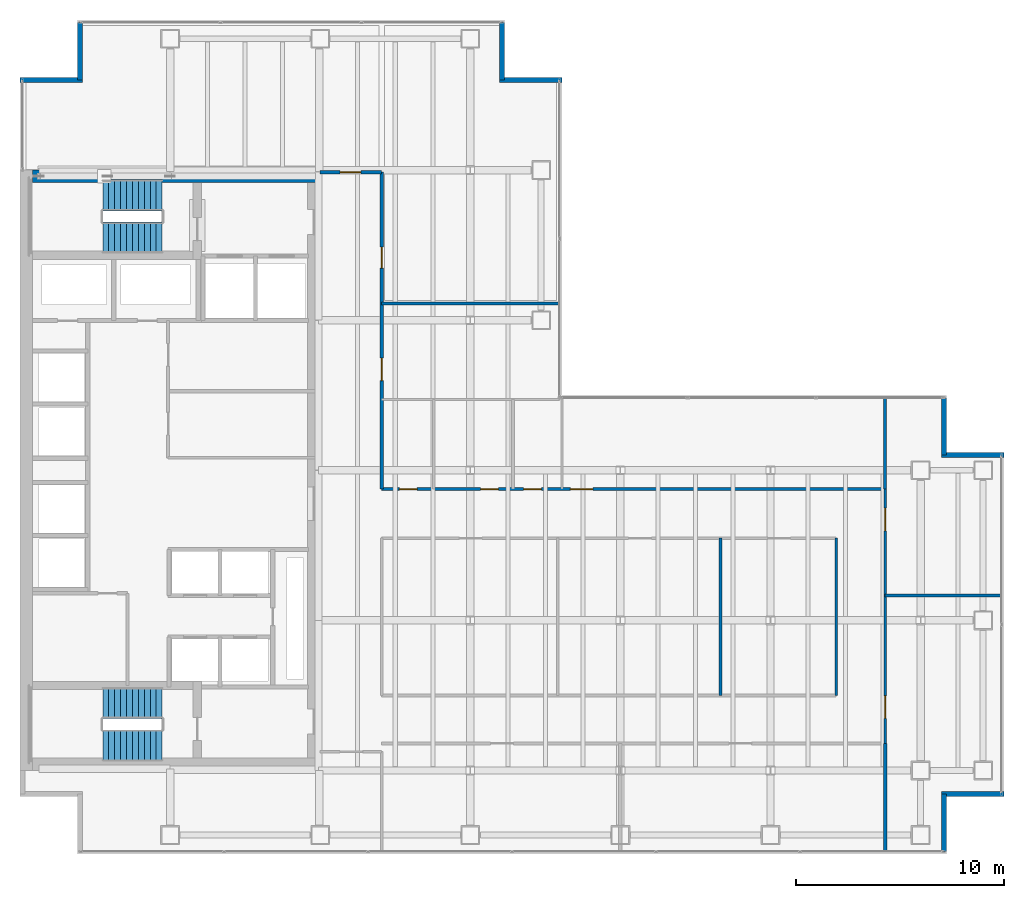
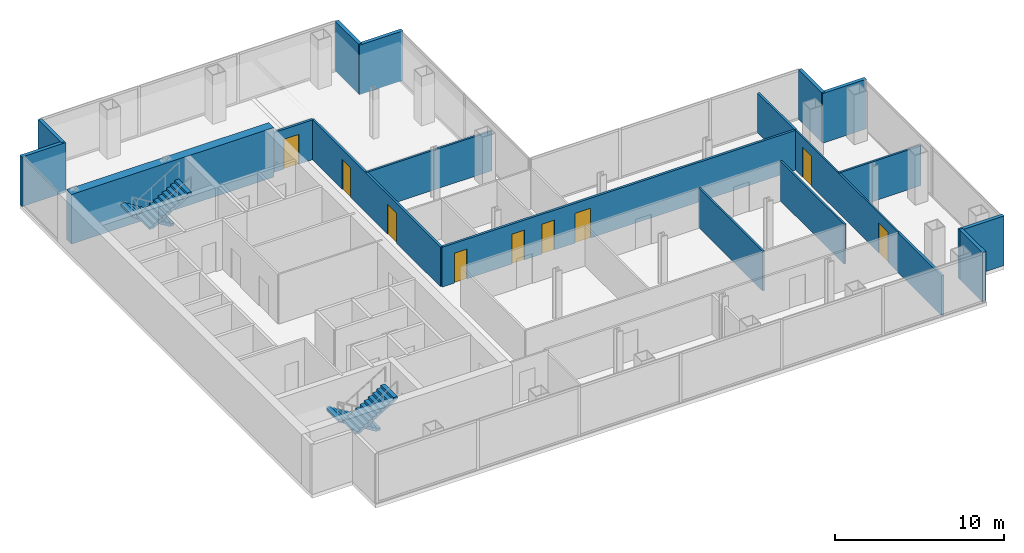
# One storey, part 22 of 23: 19 walls, 9 doors, 4 stair flights, 9 openings, 2 elements without a shape of their own.
"""IFC4 building model written with IfcOpenShell, lengths in metres."""

from ifc_helpers import new_model, si_unit, direction, frame, frame_2d, origin, place, context, subcontext, project, spatial, polyline, rectangle, outline, extrude, material, layer, layer_set, type_object, element, fill, aggregate, save


model = new_model("IFC4")

# Units and contexts
model_context = context("Model", 3, precision=1e-05, world=origin(), true_north=direction((0.0, 1.0)))
body_context = subcontext(model_context, "Body", "Model", "MODEL_VIEW")
ifc_project = project(units=[si_unit("LENGTHUNIT", "METRE"), si_unit("AREAUNIT", "SQUARE_METRE"), si_unit("VOLUMEUNIT", "CUBIC_METRE"), si_unit("PLANEANGLEUNIT", "RADIAN"), si_unit("MASSUNIT", "GRAM", prefix="KILO")], contexts=[model_context])

# Site, building, storey
site_placement = place(None, origin())
site = spatial("IfcSite", under=ifc_project, at=site_placement, CompositionType="ELEMENT")
building_placement = place(site_placement, origin())
building = spatial("IfcBuilding", under=site, at=building_placement, Name="Cobrela Telecom Tower", CompositionType="ELEMENT")
storey_placement = place(building_placement, frame((0.0, 0.0, 117.60009765625)))
storey = spatial("IfcBuildingStorey", under=building, at=storey_placement, Name="L29", CompositionType="ELEMENT", Elevation=117.60009765625)

# Walls
ifc_material_1 = material(Name="Concrete C50/60", Category="concrete")
ifc_layer_1 = layer(ifc_material_1, 0.60009765625)
ifc_layer_set_1 = layer_set([ifc_layer_1], Name="Concrete C50/60")
wall_type_1 = type_object("IfcWallType", Name="WALL-CORE-C50-600", PredefinedType="SHEAR", material=ifc_layer_set_1)
wall_1_placement = place(storey_placement, frame((0.60009765625, 35.699951171875, 0.0), z_axis=(0.0, 0.0, 1.0), x_axis=(1.0, 0.0, 0.0)))
element("IfcWall", 1, at=wall_1_placement, inside=storey, type_object=wall_type_1, Name="L29 North Core Shear Wall", PredefinedType="SHEAR", context=body_context, shape_type="SweptSolid", body=[
    extrude(rectangle(XDim=13.7998046875, YDim=0.60009765625, at=frame_2d((6.89990234375, 0.0))), origin(), (0.0, 0.0, 1.0), 3.579833984375),
])
ifc_material_2 = material(Name="Concrete C40/50", Category="concrete")
ifc_layer_2 = layer(ifc_material_2, 0.239990234375)
ifc_layer_set_2 = layer_set([ifc_layer_2], Name="Concrete C40/50")
wall_type_2 = type_object("IfcWallType", Name="WALL-EXT-300", PredefinedType="STANDARD", material=ifc_layer_set_2)
wall_2_placement = place(storey_placement, frame((0.0, 40.330078125, 0.0), z_axis=(0.0, 0.0, 1.0), x_axis=(1.0, 0.0, 0.0)))
element("IfcWall", 2, at=wall_2_placement, inside=storey, type_object=wall_type_2, Name="L29 Insulated Facade Wall 05", PredefinedType="STANDARD", context=body_context, shape_type="SweptSolid", body=[
    extrude(rectangle(XDim=2.989990234375, YDim=0.239990234375, at=frame_2d((1.4951171875, 0.0))), origin(), (0.0, 0.0, 1.0), 3.579833984375),
])
for number, where, z_axis, x_axis, name in (
    (3, (2.8701171875, 40.330078125, 0.0), (0.0, 0.0, 1.0), (0.0, 1.0, 0.0), "L29 Insulated Facade Wall 06"),
    (4, (23.1298828125, 43.080078125, 0.0), (0.0, 0.0, 1.0), (0.0, -1.0, 0.0), "L29 Insulated Facade Wall 08"),
):
    element("IfcWall", number, at=place(storey_placement, frame(where, z_axis=z_axis, x_axis=x_axis)), inside=storey, type_object=wall_type_2, Name=name, PredefinedType="STANDARD", context=body_context, shape_type="SweptSolid", body=[
        extrude(rectangle(XDim=2.75, YDim=0.239990234375, at=frame_2d((1.375, 0.0))), origin(), (0.0, 0.0, 1.0), 3.579833984375),
    ])
wall_3_placement = place(storey_placement, frame((23.010009765625, 40.330078125, 0.0), z_axis=(0.0, 0.0, 1.0), x_axis=(1.0, 0.0, 0.0)))
element("IfcWall", 5, at=wall_3_placement, inside=storey, type_object=wall_type_2, Name="L29 Insulated Facade Wall 09", PredefinedType="STANDARD", context=body_context, shape_type="SweptSolid", body=[
    extrude(rectangle(XDim=2.989990234375, YDim=0.239990234375, at=frame_2d((1.4951171875, 0.0))), origin(), (0.0, 0.0, 1.0), 3.579833984375),
])
wall_4_placement = place(storey_placement, frame((44.330078125, 25.080078125, 0.0), z_axis=(0.0, 0.0, 1.0), x_axis=(0.0, -1.0, 0.0)))
element("IfcWall", 6, at=wall_4_placement, inside=storey, type_object=wall_type_2, Name="L29 Insulated Facade Wall 12", PredefinedType="STANDARD", context=body_context, shape_type="SweptSolid", body=[
    extrude(rectangle(XDim=2.75, YDim=0.239990234375, at=frame_2d((1.375, 0.0))), origin(), (0.0, 0.0, 1.0), 3.579833984375),
])
for number, where, z_axis, x_axis, name in (
    (7, (44.2099609375, 22.330078125, 0.0), (0.0, 0.0, 1.0), (1.0, 0.0, 0.0), "L29 Insulated Facade Wall 13"),
    (8, (47.199951171875, 6.070068359375, 0.0), (0.0, 0.0, 1.0), (-1.0, 0.0, 0.0), "L29 Insulated Facade Wall 15"),
):
    element("IfcWall", number, at=place(storey_placement, frame(where, z_axis=z_axis, x_axis=x_axis)), inside=storey, type_object=wall_type_2, Name=name, PredefinedType="STANDARD", context=body_context, shape_type="SweptSolid", body=[
        extrude(rectangle(XDim=2.989990234375, YDim=0.239990234375, at=frame_2d((1.4951171875, 0.0))), origin(), (0.0, 0.0, 1.0), 3.579833984375),
    ])
wall_5_placement = place(storey_placement, frame((44.330078125, 6.070068359375, 0.0), z_axis=(0.0, 0.0, 1.0), x_axis=(0.0, -1.0, 0.0)))
element("IfcWall", 9, at=wall_5_placement, inside=storey, type_object=wall_type_2, Name="L29 Insulated Facade Wall 16", PredefinedType="STANDARD", context=body_context, shape_type="SweptSolid", body=[
    extrude(rectangle(XDim=2.75, YDim=0.239990234375, at=frame_2d((1.375, 0.0))), origin(), (0.0, 0.0, 1.0), 3.579833984375),
])

# Wall, openings, doors
ifc_material_3 = material(Name="Fire-Rated Gypsum Plasterboard")
ifc_layer_3 = layer(ifc_material_3, 0.110107421875)
ifc_layer_set_3 = layer_set([ifc_layer_3], Name="Fire-Rated Gypsum Plasterboard")
wall_type_3 = type_object("IfcWallType", Name="WALL-PART-110", PredefinedType="PARTITIONING", material=ifc_layer_set_3)
wall_6_placement = place(storey_placement, frame((41.5, 8.5, 0.0), z_axis=(0.0, 0.0, 1.0), x_axis=(0.0, 1.0, 0.0)))
wall_6 = element("IfcWall", 10, at=wall_6_placement, inside=storey, type_object=wall_type_3, Name="L29 Interior Partition W-UE-E", PredefinedType="PARTITIONING", context=body_context, shape_type="SweptSolid", body=[
    extrude(rectangle(XDim=12.199951171875, YDim=0.110107421875, at=frame_2d((6.10009765625, 0.0))), origin(), (0.0, 0.0, 1.0), 2.868896484375),
])
opening_1_placement = place(wall_6_placement, frame((1.199951171875, 0.0, 0.0)))
opening_1 = element("IfcOpeningElement", 11, at=opening_1_placement, cuts=wall_6, Name="Opening DR-63", PredefinedType="OPENING", context=body_context, shape_type="SweptSolid", body=[
    extrude(rectangle(XDim=1.080078125, YDim=2.14990234375, at=frame_2d((0.5400390625, 1.074951171875))), frame((0.0, 0.06689453125, 0.0), z_axis=(0.0, -1.0, 0.0), x_axis=(1.0, 0.0, 0.0)), (0.0, 0.0, 1.0), 0.134033203125),
])
opening_2_placement = place(wall_6_placement, frame((10.199951171875, 0.0, 0.0)))
opening_2 = element("IfcOpeningElement", 12, at=opening_2_placement, cuts=wall_6, Name="Opening DR-63", PredefinedType="OPENING", context=body_context, shape_type="SweptSolid", body=[
    extrude(rectangle(XDim=1.080078125, YDim=2.14990234375, at=frame_2d((0.5400390625, 1.074951171875))), frame((0.0, 0.06689453125, 0.0), z_axis=(0.0, -1.0, 0.0), x_axis=(1.0, 0.0, 0.0)), (0.0, 0.0, 1.0), 0.134033203125),
])
ifc_material_4 = material(Name="Solid Engineered Oak Timber", Category="wood")
door_type_1 = type_object("IfcDoorType", Name="DOOR-INT-1080", OperationType="SINGLE_SWING_LEFT", PredefinedType="DOOR", material=ifc_material_4)
door_1_placement = place(opening_1_placement, origin())
door_1 = element("IfcDoor", 13, at=door_1_placement, inside=storey, type_object=door_type_1, Name="L29 Door DR-63", OperationType="SINGLE_SWING_LEFT", OverallHeight=2.14990234375, OverallWidth=1.080078125, PredefinedType="DOOR", context=body_context, shape_type="SweptSolid", body=[
    extrude(rectangle(XDim=1.080078125, YDim=2.14990234375, at=frame_2d((0.5400390625, 1.074951171875))), frame((0.0, 0.02490234375, 0.0), z_axis=(0.0, -1.0, 0.0), x_axis=(1.0, 0.0, 0.0)), (0.0, 0.0, 1.0), 0.050048828125),
])
fill(opening_1, door_1)
door_2_placement = place(opening_2_placement, origin())
door_2 = element("IfcDoor", 14, at=door_2_placement, inside=storey, type_object=door_type_1, Name="L29 Door DR-63", OperationType="SINGLE_SWING_RIGHT", OverallHeight=2.14990234375, OverallWidth=1.080078125, PredefinedType="DOOR", context=body_context, shape_type="SweptSolid", body=[
    extrude(rectangle(XDim=1.080078125, YDim=2.14990234375, at=frame_2d((0.5400390625, 1.074951171875))), frame((0.0, 0.02490234375, 0.0), z_axis=(0.0, -1.0, 0.0), x_axis=(1.0, 0.0, 0.0)), (0.0, 0.0, 1.0), 0.050048828125),
])
fill(opening_2, door_2)

# Walls
ifc_layer_4 = layer(ifc_material_3, 0.125)
ifc_layer_set_4 = layer_set([ifc_layer_4], Name="Fire-Rated Gypsum Plasterboard")
wall_type_4 = type_object("IfcWallType", Name="WALL-PART-125", PredefinedType="PARTITIONING", material=ifc_layer_set_4)
for number, where, z_axis, x_axis, name in (
    (15, (39.14990234375, 10.800048828125, 0.0), (0.0, 0.0, 1.0), (0.0, 1.0, 0.0), "L29 Interior Partition W-ISL-E"),
    (16, (33.60009765625, 10.800048828125, 0.0), (0.0, 0.0, 1.0), (0.0, 1.0, 0.0), "L29 Interior Partition W-ISLV-2"),
):
    element("IfcWall", number, at=place(storey_placement, frame(where, z_axis=z_axis, x_axis=x_axis)), inside=storey, type_object=wall_type_4, Name=name, PredefinedType="PARTITIONING", context=body_context, shape_type="SweptSolid", body=[
        extrude(rectangle(XDim=7.550048828125, YDim=0.125, at=frame_2d((3.77490234375, 0.0))), origin(), (0.0, 0.0, 1.0), 2.868896484375),
    ])
ifc_layer_5 = layer(ifc_material_3, 0.135009765625)
ifc_layer_set_5 = layer_set([ifc_layer_5], Name="Fire-Rated Gypsum Plasterboard")
wall_type_5 = type_object("IfcWallType", Name="WALL-PART-135", PredefinedType="PARTITIONING", material=ifc_layer_set_5)
wall_7_placement = place(storey_placement, frame((17.35009765625, 29.60009765625, 0.0), z_axis=(0.0, 0.0, 1.0), x_axis=(1.0, 0.0, 0.0)))
element("IfcWall", 17, at=wall_7_placement, inside=storey, type_object=wall_type_5, Name="L29 Interior Partition W-NPAN-N", PredefinedType="PARTITIONING", context=body_context, shape_type="SweptSolid", body=[
    extrude(rectangle(XDim=8.52978515625, YDim=0.135009765625, at=frame_2d((4.264892578125, 0.0))), origin(), (0.0, 0.0, 1.0), 2.868896484375),
])
wall_8_placement = place(storey_placement, frame((41.5, 15.60009765625, 0.0), z_axis=(0.0, 0.0, 1.0), x_axis=(1.0, 0.0, 0.0)))
element("IfcWall", 18, at=wall_8_placement, inside=storey, type_object=wall_type_5, Name="L29 Interior Partition W-UFE-H", PredefinedType="PARTITIONING", context=body_context, shape_type="SweptSolid", body=[
    extrude(rectangle(XDim=5.580078125, YDim=0.135009765625, at=frame_2d((2.7900390625, 0.0))), origin(), (0.0, 0.0, 1.0), 2.868896484375),
])

# Wall, openings, doors
ifc_layer_6 = layer(ifc_material_3, 0.14990234375)
ifc_layer_set_6 = layer_set([ifc_layer_6], Name="Fire-Rated Gypsum Plasterboard")
wall_type_6 = type_object("IfcWallType", Name="WALL-PART-150", PredefinedType="PARTITIONING", material=ifc_layer_set_6)
wall_9_placement = place(storey_placement, frame((17.35009765625, 20.699951171875, 0.0), z_axis=(0.0, 0.0, 1.0), x_axis=(0.0, 1.0, 0.0)))
wall_9 = element("IfcWall", 19, at=wall_9_placement, inside=storey, type_object=wall_type_6, Name="L29 Interior Partition W-UW-E2", PredefinedType="PARTITIONING", context=body_context, shape_type="SweptSolid", body=[
    extrude(rectangle(XDim=15.199951171875, YDim=0.14990234375, at=frame_2d((7.60009765625, 0.0))), origin(), (0.0, 0.0, 1.0), 2.868896484375),
])
opening_3_placement = place(wall_9_placement, frame((5.199951171875, 0.0, 0.0)))
opening_3 = element("IfcOpeningElement", 20, at=opening_3_placement, cuts=wall_9, Name="Opening DR-63", PredefinedType="OPENING", context=body_context, shape_type="SweptSolid", body=[
    extrude(rectangle(XDim=1.080078125, YDim=2.14990234375, at=frame_2d((0.5400390625, 1.074951171875))), frame((0.0, 0.0869140625, 0.0), z_axis=(0.0, -1.0, 0.0), x_axis=(1.0, 0.0, 0.0)), (0.0, 0.0, 1.0), 0.173828125),
])
opening_4_placement = place(wall_9_placement, frame((10.60009765625, 0.0, 0.0)))
opening_4 = element("IfcOpeningElement", 21, at=opening_4_placement, cuts=wall_9, Name="Opening DR-31", PredefinedType="OPENING", context=body_context, shape_type="SweptSolid", body=[
    extrude(rectangle(XDim=1.0, YDim=2.14990234375, at=frame_2d((0.5, 1.074951171875))), frame((0.0, 0.0869140625, 0.0), z_axis=(0.0, -1.0, 0.0), x_axis=(1.0, 0.0, 0.0)), (0.0, 0.0, 1.0), 0.173828125),
])
door_type_2 = type_object("IfcDoorType", Name="DOOR-INT-1000", OperationType="SINGLE_SWING_LEFT", PredefinedType="DOOR", material=ifc_material_4)
door_3_placement = place(opening_4_placement, origin())
door_3 = element("IfcDoor", 22, at=door_3_placement, inside=storey, type_object=door_type_2, Name="L29 Door DR-31", OperationType="SINGLE_SWING_LEFT", OverallHeight=2.14990234375, OverallWidth=1.0, PredefinedType="DOOR", context=body_context, shape_type="SweptSolid", body=[
    extrude(rectangle(XDim=1.0, YDim=2.14990234375, at=frame_2d((0.5, 1.074951171875))), frame((0.0, 0.02490234375, 0.0), z_axis=(0.0, -1.0, 0.0), x_axis=(1.0, 0.0, 0.0)), (0.0, 0.0, 1.0), 0.050048828125),
])
fill(opening_4, door_3)
door_4_placement = place(opening_3_placement, origin())
door_4 = element("IfcDoor", 23, at=door_4_placement, inside=storey, type_object=door_type_1, Name="L29 Door DR-63", OperationType="SINGLE_SWING_RIGHT", OverallHeight=2.14990234375, OverallWidth=1.080078125, PredefinedType="DOOR", context=body_context, shape_type="SweptSolid", body=[
    extrude(rectangle(XDim=1.080078125, YDim=2.14990234375, at=frame_2d((0.5400390625, 1.074951171875))), frame((0.0, 0.02490234375, 0.0), z_axis=(0.0, -1.0, 0.0), x_axis=(1.0, 0.0, 0.0)), (0.0, 0.0, 1.0), 0.050048828125),
])
fill(opening_3, door_4)

# Wall
wall_10_placement = place(storey_placement, frame((41.5, 20.699951171875, 0.0), z_axis=(0.0, 0.0, 1.0), x_axis=(0.0, 1.0, 0.0)))
element("IfcWall", 24, at=wall_10_placement, inside=storey, type_object=wall_type_6, Name="L29 Interior Partition W-UFE-N", PredefinedType="PARTITIONING", context=body_context, shape_type="SweptSolid", body=[
    extrude(rectangle(XDim=4.380126953125, YDim=0.14990234375, at=frame_2d((2.18994140625, 0.0))), origin(), (0.0, 0.0, 1.0), 2.868896484375),
])

# Wall, opening, door
ifc_layer_7 = layer(ifc_material_3, 0.159912109375)
ifc_layer_set_7 = layer_set([ifc_layer_7], Name="Fire-Rated Gypsum Plasterboard")
wall_type_7 = type_object("IfcWallType", Name="WALL-PART-160", PredefinedType="PARTITIONING", material=ifc_layer_set_7)
wall_11_placement = place(storey_placement, frame((14.39990234375, 35.89990234375, 0.0), z_axis=(0.0, 0.0, 1.0), x_axis=(1.0, 0.0, 0.0)))
wall_11 = element("IfcWall", 25, at=wall_11_placement, inside=storey, type_object=wall_type_7, Name="L29 Interior Partition W-UW-N0", PredefinedType="PARTITIONING", context=body_context, shape_type="SweptSolid", body=[
    extrude(rectangle(XDim=2.9501953125, YDim=0.159912109375, at=frame_2d((1.47509765625, 0.0))), origin(), (0.0, 0.0, 1.0), 2.868896484375),
])
opening_5_placement = place(wall_11_placement, frame((0.949951171875, 0.0, 0.0)))
opening_5 = element("IfcOpeningElement", 26, at=opening_5_placement, cuts=wall_11, Name="Opening DR-31", PredefinedType="OPENING", context=body_context, shape_type="SweptSolid", body=[
    extrude(rectangle(XDim=1.0, YDim=2.14990234375, at=frame_2d((0.5, 1.074951171875))), frame((0.0, 0.091796875, 0.0), z_axis=(0.0, -1.0, 0.0), x_axis=(1.0, 0.0, 0.0)), (0.0, 0.0, 1.0), 0.183837890625),
])
door_5_placement = place(opening_5_placement, origin())
door_5 = element("IfcDoor", 27, at=door_5_placement, inside=storey, type_object=door_type_2, Name="L29 Door DR-31", OperationType="SINGLE_SWING_LEFT", OverallHeight=2.14990234375, OverallWidth=1.0, PredefinedType="DOOR", context=body_context, shape_type="SweptSolid", body=[
    extrude(rectangle(XDim=1.0, YDim=2.14990234375, at=frame_2d((0.5, 1.074951171875))), frame((0.0, 0.02490234375, 0.0), z_axis=(0.0, -1.0, 0.0), x_axis=(1.0, 0.0, 0.0)), (0.0, 0.0, 1.0), 0.050048828125),
])
fill(opening_5, door_5)

# Wall, openings, doors
wall_12_placement = place(storey_placement, frame((17.35009765625, 20.699951171875, 0.0), z_axis=(0.0, 0.0, 1.0), x_axis=(1.0, 0.0, 0.0)))
wall_12 = element("IfcWall", 28, at=wall_12_placement, inside=storey, type_object=wall_type_7, Name="L29 Interior Partition W-UN-N", PredefinedType="PARTITIONING", context=body_context, shape_type="SweptSolid", body=[
    extrude(rectangle(XDim=24.14990234375, YDim=0.159912109375, at=frame_2d((12.074951171875, 0.0))), origin(), (0.0, 0.0, 1.0), 2.868896484375),
])
opening_6_placement = place(wall_12_placement, frame((0.85009765625, 0.0, 0.0)))
opening_6 = element("IfcOpeningElement", 29, at=opening_6_placement, cuts=wall_12, Name="Opening DR-11", PredefinedType="OPENING", context=body_context, shape_type="SweptSolid", body=[
    extrude(rectangle(XDim=0.85009765625, YDim=2.14990234375, at=frame_2d((0.425048828125, 1.074951171875))), frame((0.0, 0.091796875, 0.0), z_axis=(0.0, -1.0, 0.0), x_axis=(1.0, 0.0, 0.0)), (0.0, 0.0, 1.0), 0.183837890625),
])
opening_7_placement = place(wall_12_placement, frame((4.75, 0.0, 0.0)))
opening_7 = element("IfcOpeningElement", 30, at=opening_7_placement, cuts=wall_12, Name="Opening DR-11", PredefinedType="OPENING", context=body_context, shape_type="SweptSolid", body=[
    extrude(rectangle(XDim=0.85009765625, YDim=2.14990234375, at=frame_2d((0.425048828125, 1.074951171875))), frame((0.0, 0.091796875, 0.0), z_axis=(0.0, -1.0, 0.0), x_axis=(1.0, 0.0, 0.0)), (0.0, 0.0, 1.0), 0.183837890625),
])
opening_8_placement = place(wall_12_placement, frame((6.81005859375, 0.0, 0.0)))
opening_8 = element("IfcOpeningElement", 31, at=opening_8_placement, cuts=wall_12, Name="Opening DR-11", PredefinedType="OPENING", context=body_context, shape_type="SweptSolid", body=[
    extrude(rectangle(XDim=0.85009765625, YDim=2.14990234375, at=frame_2d((0.425048828125, 1.074951171875))), frame((0.0, 0.091796875, 0.0), z_axis=(0.0, -1.0, 0.0), x_axis=(1.0, 0.0, 0.0)), (0.0, 0.0, 1.0), 0.183837890625),
])
opening_9_placement = place(wall_12_placement, frame((9.050048828125, 0.0, 0.0)))
opening_9 = element("IfcOpeningElement", 32, at=opening_9_placement, cuts=wall_12, Name="Opening DR-63", PredefinedType="OPENING", context=body_context, shape_type="SweptSolid", body=[
    extrude(rectangle(XDim=1.080078125, YDim=2.14990234375, at=frame_2d((0.5400390625, 1.074951171875))), frame((0.0, 0.091796875, 0.0), z_axis=(0.0, -1.0, 0.0), x_axis=(1.0, 0.0, 0.0)), (0.0, 0.0, 1.0), 0.183837890625),
])
door_6_placement = place(opening_9_placement, origin())
door_6 = element("IfcDoor", 33, at=door_6_placement, inside=storey, type_object=door_type_1, Name="L29 Door DR-63", OperationType="SINGLE_SWING_RIGHT", OverallHeight=2.14990234375, OverallWidth=1.080078125, PredefinedType="DOOR", context=body_context, shape_type="SweptSolid", body=[
    extrude(rectangle(XDim=1.080078125, YDim=2.14990234375, at=frame_2d((0.5400390625, 1.074951171875))), frame((0.0, 0.02490234375, 0.0), z_axis=(0.0, -1.0, 0.0), x_axis=(1.0, 0.0, 0.0)), (0.0, 0.0, 1.0), 0.050048828125),
])
fill(opening_9, door_6)
door_type_3 = type_object("IfcDoorType", Name="DOOR-INT-850", OperationType="SINGLE_SWING_LEFT", PredefinedType="DOOR", material=ifc_material_4)
door_7_placement = place(opening_6_placement, origin())
door_7 = element("IfcDoor", 34, at=door_7_placement, inside=storey, type_object=door_type_3, Name="L29 Door DR-11", OperationType="SINGLE_SWING_LEFT", OverallHeight=2.14990234375, OverallWidth=0.85009765625, PredefinedType="DOOR", context=body_context, shape_type="SweptSolid", body=[
    extrude(rectangle(XDim=0.85009765625, YDim=2.14990234375, at=frame_2d((0.425048828125, 1.074951171875))), frame((0.0, 0.02490234375, 0.0), z_axis=(0.0, -1.0, 0.0), x_axis=(1.0, 0.0, 0.0)), (0.0, 0.0, 1.0), 0.050048828125),
])
fill(opening_6, door_7)
door_8_placement = place(opening_7_placement, origin())
door_8 = element("IfcDoor", 35, at=door_8_placement, inside=storey, type_object=door_type_3, Name="L29 Door DR-11", OperationType="SINGLE_SWING_RIGHT", OverallHeight=2.14990234375, OverallWidth=0.85009765625, PredefinedType="DOOR", context=body_context, shape_type="SweptSolid", body=[
    extrude(rectangle(XDim=0.85009765625, YDim=2.14990234375, at=frame_2d((0.425048828125, 1.074951171875))), frame((0.0, 0.02490234375, 0.0), z_axis=(0.0, -1.0, 0.0), x_axis=(1.0, 0.0, 0.0)), (0.0, 0.0, 1.0), 0.050048828125),
])
fill(opening_7, door_8)
door_9_placement = place(opening_8_placement, origin())
door_9 = element("IfcDoor", 36, at=door_9_placement, inside=storey, type_object=door_type_3, Name="L29 Door DR-11", OperationType="SINGLE_SWING_LEFT", OverallHeight=2.14990234375, OverallWidth=0.85009765625, PredefinedType="DOOR", context=body_context, shape_type="SweptSolid", body=[
    extrude(rectangle(XDim=0.85009765625, YDim=2.14990234375, at=frame_2d((0.425048828125, 1.074951171875))), frame((0.0, 0.02490234375, 0.0), z_axis=(0.0, -1.0, 0.0), x_axis=(1.0, 0.0, 0.0)), (0.0, 0.0, 1.0), 0.050048828125),
])
fill(opening_8, door_9)

# Wall
wall_13_placement = place(storey_placement, frame((41.5, 3.320068359375, 0.0), z_axis=(0.0, 0.0, 1.0), x_axis=(0.0, 1.0, 0.0)))
element("IfcWall", 37, at=wall_13_placement, inside=storey, type_object=wall_type_7, Name="L29 Interior Partition W-UFE-S", PredefinedType="PARTITIONING", context=body_context, shape_type="SweptSolid", body=[
    extrude(rectangle(XDim=5.179931640625, YDim=0.159912109375, at=frame_2d((2.58984375, 0.0))), origin(), (0.0, 0.0, 1.0), 2.868896484375),
])

# Stair, stair flights
stair_type = type_object("IfcStairType", Name="STAIR-CORE", PredefinedType="HALF_TURN_STAIR", material=ifc_material_2)
stair_1_placement = place(storey_placement, origin())
stair_1 = element("IfcStair", 38, at=stair_1_placement, inside=storey, type_object=stair_type, Name="L29 Smokeproof Exit Stair ST1", PredefinedType="HALF_TURN_STAIR")
stair_flight_type = type_object("IfcStairFlightType", Name="FLIGHT-CORE", PredefinedType="STRAIGHT", material=ifc_material_2)
stair_flight_1_placement = place(storey_placement, frame((6.820068359375, 34.800048828125, 0.0), z_axis=(0.0, 0.0, 1.0), x_axis=(-1.0, 0.0, 0.0)))
stair_flight_1 = element("IfcStairFlight", 39, at=stair_flight_1_placement, type_object=stair_flight_type, Name="ST1 flight 1", NumberOfRisers=11, NumberOfTreads=10, PredefinedType="STRAIGHT", RiserHeight=0.175, TreadLength=0.285, context=body_context, shape_type="SweptSolid", body=[
    extrude(outline(polyline([(0.0, 0.0), (0.0, 0.175048828125), (0.284912109375, 0.175048828125), (0.284912109375, 0.35009765625), (0.570068359375, 0.35009765625), (0.570068359375, 0.52490234375), (0.85498046875, 0.52490234375), (0.85498046875, 0.699951171875), (1.139892578125, 0.699951171875), (1.139892578125, 0.875), (1.425048828125, 0.875), (1.425048828125, 1.050048828125), (1.7099609375, 1.050048828125), (1.7099609375, 1.22509765625), (1.9951171875, 1.22509765625), (1.9951171875, 1.39990234375), (2.280029296875, 1.39990234375), (2.280029296875, 1.574951171875), (2.56494140625, 1.574951171875), (2.56494140625, 1.75), (2.85009765625, 1.75), (2.85009765625, 1.925048828125), (2.85009765625, 1.573974609375), (0.286376953125, 0.0), (0.0, 0.0)])), frame((0.0, 0.75, 0.0), z_axis=(0.0, -1.0, 0.0), x_axis=(1.0, 0.0, 0.0)), (0.0, 0.0, 1.0), 1.5),
])
stair_flight_2_placement = place(storey_placement, frame((3.969970703125, 32.75, 1.9248046875), z_axis=(0.0, 0.0, 1.0), x_axis=(1.0, 0.0, 0.0)))
stair_flight_2 = element("IfcStairFlight", 40, at=stair_flight_2_placement, type_object=stair_flight_type, Name="ST1 flight 2", NumberOfRisers=11, NumberOfTreads=10, PredefinedType="STRAIGHT", RiserHeight=0.175, TreadLength=0.285, context=body_context, shape_type="SweptSolid", body=[
    extrude(outline(polyline([(0.0, 0.0), (0.0, 0.175048828125), (0.284912109375, 0.175048828125), (0.284912109375, 0.35009765625), (0.570068359375, 0.35009765625), (0.570068359375, 0.52490234375), (0.85498046875, 0.52490234375), (0.85498046875, 0.699951171875), (1.139892578125, 0.699951171875), (1.139892578125, 0.875), (1.425048828125, 0.875), (1.425048828125, 1.050048828125), (1.7099609375, 1.050048828125), (1.7099609375, 1.22509765625), (1.9951171875, 1.22509765625), (1.9951171875, 1.39990234375), (2.280029296875, 1.39990234375), (2.280029296875, 1.574951171875), (2.56494140625, 1.574951171875), (2.56494140625, 1.75), (2.85009765625, 1.75), (2.85009765625, 1.925048828125), (2.85009765625, 1.573974609375), (0.286376953125, 0.0), (0.0, 0.0)])), frame((0.0, 0.75, 0.0), z_axis=(0.0, -1.0, 0.0), x_axis=(1.0, 0.0, 0.0)), (0.0, 0.0, 1.0), 1.5),
])
aggregate(stair_1, [stair_flight_1, stair_flight_2])

stair_2_placement = place(storey_placement, origin())
stair_2 = element("IfcStair", 41, at=stair_2_placement, inside=storey, type_object=stair_type, Name="L29 Smokeproof Exit Stair ST2", PredefinedType="HALF_TURN_STAIR")
stair_flight_3_placement = place(storey_placement, frame((6.820068359375, 10.449951171875, 0.0), z_axis=(0.0, 0.0, 1.0), x_axis=(-1.0, 0.0, 0.0)))
stair_flight_3 = element("IfcStairFlight", 42, at=stair_flight_3_placement, type_object=stair_flight_type, Name="ST2 flight 1", NumberOfRisers=11, NumberOfTreads=10, PredefinedType="STRAIGHT", RiserHeight=0.175, TreadLength=0.285, context=body_context, shape_type="SweptSolid", body=[
    extrude(outline(polyline([(0.0, 0.0), (0.0, 0.175048828125), (0.284912109375, 0.175048828125), (0.284912109375, 0.35009765625), (0.570068359375, 0.35009765625), (0.570068359375, 0.52490234375), (0.85498046875, 0.52490234375), (0.85498046875, 0.699951171875), (1.139892578125, 0.699951171875), (1.139892578125, 0.875), (1.425048828125, 0.875), (1.425048828125, 1.050048828125), (1.7099609375, 1.050048828125), (1.7099609375, 1.22509765625), (1.9951171875, 1.22509765625), (1.9951171875, 1.39990234375), (2.280029296875, 1.39990234375), (2.280029296875, 1.574951171875), (2.56494140625, 1.574951171875), (2.56494140625, 1.75), (2.85009765625, 1.75), (2.85009765625, 1.925048828125), (2.85009765625, 1.573974609375), (0.286376953125, 0.0), (0.0, 0.0)])), frame((0.0, 0.75, 0.0), z_axis=(0.0, -1.0, 0.0), x_axis=(1.0, 0.0, 0.0)), (0.0, 0.0, 1.0), 1.5),
])
stair_flight_4_placement = place(storey_placement, frame((3.969970703125, 8.39990234375, 1.9248046875), z_axis=(0.0, 0.0, 1.0), x_axis=(1.0, 0.0, 0.0)))
stair_flight_4 = element("IfcStairFlight", 43, at=stair_flight_4_placement, type_object=stair_flight_type, Name="ST2 flight 2", NumberOfRisers=11, NumberOfTreads=10, PredefinedType="STRAIGHT", RiserHeight=0.175, TreadLength=0.285, context=body_context, shape_type="SweptSolid", body=[
    extrude(outline(polyline([(0.0, 0.0), (0.0, 0.175048828125), (0.284912109375, 0.175048828125), (0.284912109375, 0.35009765625), (0.570068359375, 0.35009765625), (0.570068359375, 0.52490234375), (0.85498046875, 0.52490234375), (0.85498046875, 0.699951171875), (1.139892578125, 0.699951171875), (1.139892578125, 0.875), (1.425048828125, 0.875), (1.425048828125, 1.050048828125), (1.7099609375, 1.050048828125), (1.7099609375, 1.22509765625), (1.9951171875, 1.22509765625), (1.9951171875, 1.39990234375), (2.280029296875, 1.39990234375), (2.280029296875, 1.574951171875), (2.56494140625, 1.574951171875), (2.56494140625, 1.75), (2.85009765625, 1.75), (2.85009765625, 1.925048828125), (2.85009765625, 1.573974609375), (0.286376953125, 0.0), (0.0, 0.0)])), frame((0.0, 0.75, 0.0), z_axis=(0.0, -1.0, 0.0), x_axis=(1.0, 0.0, 0.0)), (0.0, 0.0, 1.0), 1.5),
])
aggregate(stair_2, [stair_flight_3, stair_flight_4])

save(model, "model.ifc")
